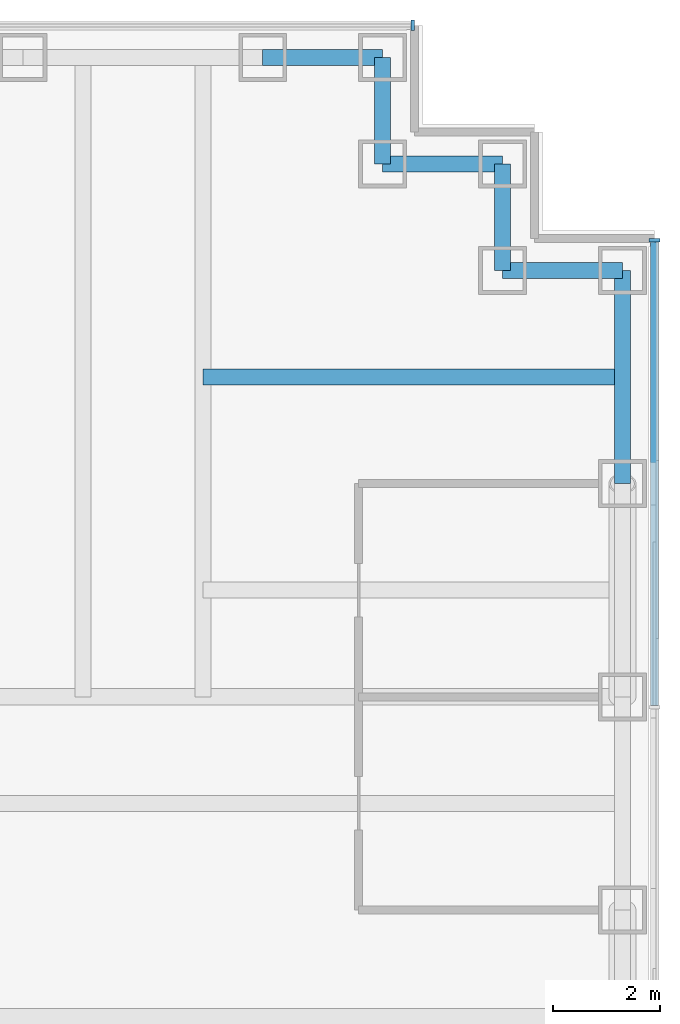
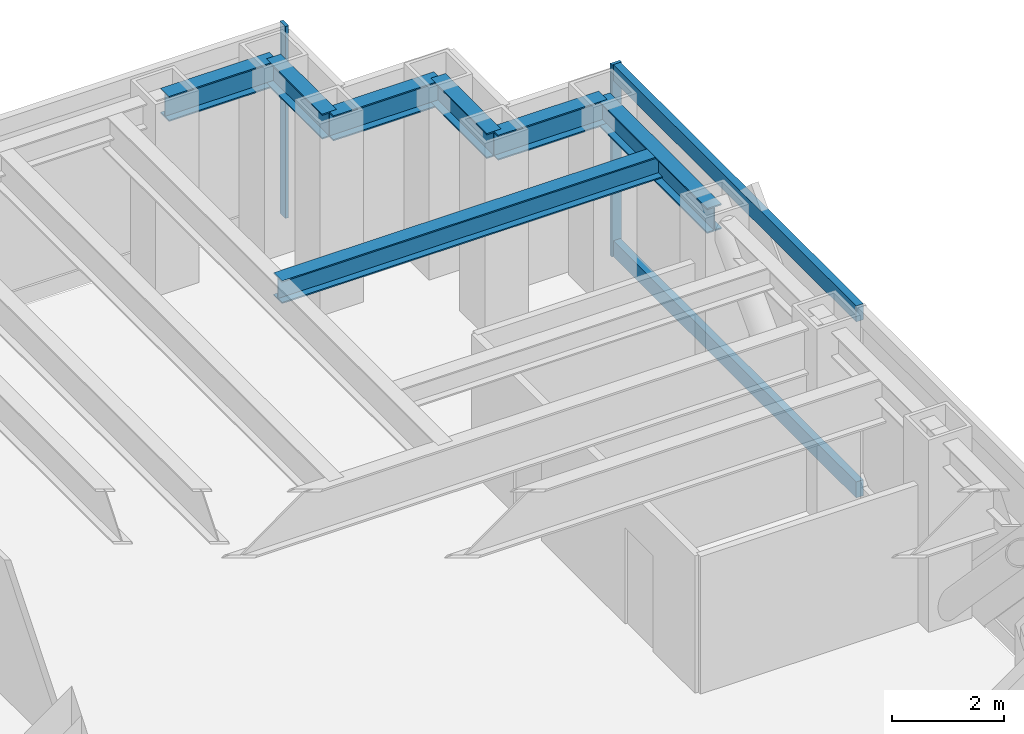
# One storey, part 9 of 17: 7 beams, 4 members, 2 elements without a shape of their own.
"""IFC4 building model written with IfcOpenShell, lengths in metres."""

from ifc_helpers import new_model, si_unit, direction, frame, origin, origin_2d, place, context, subcontext, project, spatial, rectangle, i_section, extrude, material, material_profile, profile_set, type_object, element, aggregate, save


model = new_model("IFC4")

# Units and contexts
model_context = context("Model", 3, precision=1e-05, world=origin(), true_north=direction((0.0, 1.0)))
body_context = subcontext(model_context, "Body", "Model", "MODEL_VIEW")
ifc_project = project(units=[si_unit("LENGTHUNIT", "METRE"), si_unit("AREAUNIT", "SQUARE_METRE"), si_unit("VOLUMEUNIT", "CUBIC_METRE"), si_unit("PLANEANGLEUNIT", "RADIAN"), si_unit("MASSUNIT", "GRAM", prefix="KILO")], contexts=[model_context])

# Site, building, storey
site_placement = place(None, origin())
site = spatial("IfcSite", under=ifc_project, at=site_placement, CompositionType="ELEMENT")
building_placement = place(site_placement, origin())
building = spatial("IfcBuilding", under=site, at=building_placement, Name="Rheinbord Bourse Tower", CompositionType="ELEMENT")
storey_placement = place(building_placement, frame((0.0, 0.0, 287.89990234375)))
storey = spatial("IfcBuildingStorey", under=building, at=storey_placement, Name="L65", CompositionType="ELEMENT", Elevation=287.89990234375)

# Curtain wall, member
ifc_material_1 = material(Name="Dark glass and black aluminium", Category="aluminium")
curtain_wall_type = type_object("IfcCurtainWallType", Name="CW3 DARK GLASS CURTAIN WALL", PredefinedType="USERDEFINED", material=ifc_material_1)
curtain_wall_1_placement = place(storey_placement, origin())
curtain_wall_1 = element("IfcCurtainWall", 1, at=curtain_wall_1_placement, inside=storey, type_object=curtain_wall_type, Name="Curtain wall CW3 E L65", ObjectType="UNITISED CURTAIN WALL", PredefinedType="USERDEFINED")
ifc_material_2 = material(Name="Black anodised aluminium", Category="aluminium")
ifc_material_profile_1 = material_profile(ifc_material_2, rectangle(XDim=0.199951171875, YDim=0.06494140625, at=origin_2d()), Name="CW3 MULLION 65x200")
ifc_profile_set_1 = profile_set([ifc_material_profile_1], Name="Black anodised aluminium")
member_type_1 = type_object("IfcMemberType", Name="CW3 BLACK MULLION", PredefinedType="MULLION", material=ifc_profile_set_1)
member_1_placement = place(storey_placement, frame((70.35009765625, 40.5673828125, 0.0), z_axis=(0.0, 0.0, 1.0), x_axis=(-1.0, 0.0, 0.0)))
member_1 = element("IfcMember", 2, at=member_1_placement, type_object=member_type_1, Name="CW3 mullion 5", PredefinedType="MULLION", context=body_context, shape_type="SweptSolid", body=[
    extrude(rectangle(XDim=0.199951171875, YDim=0.06494140625, at=origin_2d()), origin(), (0.0, 0.0, 1.0), 4.2001953125),
])

curtain_wall_2_placement = place(storey_placement, origin())
curtain_wall_2 = element("IfcCurtainWall", 3, at=curtain_wall_2_placement, inside=storey, type_object=curtain_wall_type, Name="Curtain wall CW3 N L65", ObjectType="UNITISED CURTAIN WALL", PredefinedType="USERDEFINED")
member_2_placement = place(storey_placement, frame((65.8173828125, 44.60009765625, 0.0), z_axis=(0.0, 0.0, 1.0), x_axis=(0.0, -1.0, 0.0)))
member_2 = element("IfcMember", 4, at=member_2_placement, type_object=member_type_1, Name="CW3 mullion 1", PredefinedType="MULLION", context=body_context, shape_type="SweptSolid", body=[
    extrude(rectangle(XDim=0.199951171875, YDim=0.06494140625, at=origin_2d()), origin(), (0.0, 0.0, 1.0), 4.2001953125),
])
aggregate(curtain_wall_2, [member_2])

# Member
ifc_material_3 = material(Name="Black anodised aluminium", Category="aluminium")
ifc_material_profile_2 = material_profile(ifc_material_3, rectangle(XDim=0.14990234375, YDim=0.35009765625, at=origin_2d()), Name="CW3 TRANSOM 350x150")
ifc_profile_set_2 = profile_set([ifc_material_profile_2], Name="Black anodised aluminium")
member_type_2 = type_object("IfcMemberType", Name="CW3 BLACK TRANSOM", PredefinedType="USERDEFINED", material=ifc_profile_set_2)
member_3_placement = place(storey_placement, frame((70.35009765625, 31.83251953125, 0.175048828125), z_axis=(0.0, 1.0, 0.0), x_axis=(-1.0, 0.0, 0.0)))
member_3 = element("IfcMember", 5, at=member_3_placement, type_object=member_type_2, Name="CW3 transom 4.1", ObjectType="TRANSOM", PredefinedType="USERDEFINED", context=body_context, shape_type="SweptSolid", body=[
    extrude(rectangle(XDim=0.14990234375, YDim=0.35009765625, at=origin_2d()), origin(), (0.0, 0.0, 1.0), 8.702392578125),
])

member_4_placement = place(storey_placement, frame((70.35009765625, 31.83251953125, 4.025146484375), z_axis=(0.0, 1.0, 0.0), x_axis=(-1.0, 0.0, 0.0)))
member_4 = element("IfcMember", 6, at=member_4_placement, type_object=member_type_2, Name="CW3 transom 4.2", ObjectType="TRANSOM", PredefinedType="USERDEFINED", context=body_context, shape_type="SweptSolid", body=[
    extrude(rectangle(XDim=0.14990234375, YDim=0.35009765625, at=origin_2d()), origin(), (0.0, 0.0, 1.0), 8.702392578125),
])

aggregate(curtain_wall_1, [member_1, member_3, member_4])

# Beams
ifc_material_4 = material(Name="Steel S460", Category="steel")
ifc_material_profile_3 = material_profile(ifc_material_4, i_section(OverallWidth=0.300048828125, OverallDepth=0.550048828125, WebThickness=0.014892578125, FlangeThickness=0.029052734375, at=origin_2d()), Name="HEB 550")
ifc_profile_set_3 = profile_set([ifc_material_profile_3], Name="Steel S460")
beam_type_1 = type_object("IfcBeamType", Name="SPANDREL HEB 550", PredefinedType="SPANDREL", material=ifc_profile_set_3)
beam_1_placement = place(storey_placement, frame((69.75, 36.0, 3.76513671875), z_axis=(0.0, 1.0, 0.0), x_axis=(-1.0, 0.0, 0.0)))
element("IfcBeam", 7, at=beam_1_placement, inside=storey, type_object=beam_type_1, Name="Spandrel E-36-NE-A under L66", PredefinedType="SPANDREL", context=body_context, shape_type="SweptSolid", body=[
    extrude(i_section(OverallWidth=0.300048828125, OverallDepth=0.550048828125, WebThickness=0.014892578125, FlangeThickness=0.029052734375, at=origin_2d()), origin(), (0.0, 0.0, 1.0), 4.0),
])
beam_2_placement = place(storey_placement, frame((69.75, 40.0, 3.76513671875), z_axis=(-1.0, 0.0, 0.0), x_axis=(0.0, -1.0, 0.0)))
element("IfcBeam", 8, at=beam_2_placement, inside=storey, type_object=beam_type_1, Name="Spandrel NE-A-NE-B under L66", PredefinedType="SPANDREL", context=body_context, shape_type="SweptSolid", body=[
    extrude(i_section(OverallWidth=0.300048828125, OverallDepth=0.550048828125, WebThickness=0.014892578125, FlangeThickness=0.029052734375, at=origin_2d()), origin(), (0.0, 0.0, 1.0), 2.25),
])
beam_3_placement = place(storey_placement, frame((67.5, 40.0, 3.76513671875), z_axis=(0.0, 1.0, 0.0), x_axis=(-1.0, 0.0, 0.0)))
element("IfcBeam", 9, at=beam_3_placement, inside=storey, type_object=beam_type_1, Name="Spandrel NE-B-NE-C under L66", PredefinedType="SPANDREL", context=body_context, shape_type="SweptSolid", body=[
    extrude(i_section(OverallWidth=0.300048828125, OverallDepth=0.550048828125, WebThickness=0.014892578125, FlangeThickness=0.029052734375, at=origin_2d()), origin(), (0.0, 0.0, 1.0), 2.0),
])
beam_4_placement = place(storey_placement, frame((67.5, 42.0, 3.76513671875), z_axis=(-1.0, 0.0, 0.0), x_axis=(0.0, -1.0, 0.0)))
element("IfcBeam", 10, at=beam_4_placement, inside=storey, type_object=beam_type_1, Name="Spandrel NE-C-NE-D under L66", PredefinedType="SPANDREL", context=body_context, shape_type="SweptSolid", body=[
    extrude(i_section(OverallWidth=0.300048828125, OverallDepth=0.550048828125, WebThickness=0.014892578125, FlangeThickness=0.029052734375, at=origin_2d()), origin(), (0.0, 0.0, 1.0), 2.25),
])
beam_5_placement = place(storey_placement, frame((65.25, 42.0, 3.76513671875), z_axis=(0.0, 1.0, 0.0), x_axis=(-1.0, 0.0, 0.0)))
element("IfcBeam", 11, at=beam_5_placement, inside=storey, type_object=beam_type_1, Name="Spandrel NE-D-NE-E under L66", PredefinedType="SPANDREL", context=body_context, shape_type="SweptSolid", body=[
    extrude(i_section(OverallWidth=0.300048828125, OverallDepth=0.550048828125, WebThickness=0.014892578125, FlangeThickness=0.029052734375, at=origin_2d()), origin(), (0.0, 0.0, 1.0), 2.0),
])
beam_6_placement = place(storey_placement, frame((65.25, 44.0, 3.76513671875), z_axis=(-1.0, 0.0, 0.0), x_axis=(0.0, -1.0, 0.0)))
element("IfcBeam", 12, at=beam_6_placement, inside=storey, type_object=beam_type_1, Name="Spandrel NE-E-N-63 under L66", PredefinedType="SPANDREL", context=body_context, shape_type="SweptSolid", body=[
    extrude(i_section(OverallWidth=0.300048828125, OverallDepth=0.550048828125, WebThickness=0.014892578125, FlangeThickness=0.029052734375, at=origin_2d()), origin(), (0.0, 0.0, 1.0), 2.25),
])
ifc_material_5 = material(Name="Steel S460", Category="steel")
ifc_material_profile_4 = material_profile(ifc_material_5, i_section(OverallWidth=0.300048828125, OverallDepth=0.5, WebThickness=0.014404296875, FlangeThickness=0.028076171875, at=origin_2d()), Name="HEB 500")
ifc_profile_set_4 = profile_set([ifc_material_profile_4], Name="Steel S460")
beam_type_2 = type_object("IfcBeamType", Name="TIE BEAM HEB 500", PredefinedType="JOIST", material=ifc_profile_set_4)
beam_7_placement = place(storey_placement, frame((61.875, 38.0, 3.7900390625), z_axis=(1.0, 0.0, 0.0), x_axis=(0.0, 1.0, 0.0)))
element("IfcBeam", 13, at=beam_7_placement, inside=storey, type_object=beam_type_2, Name="Tie east 38 L66", PredefinedType="JOIST", context=body_context, shape_type="SweptSolid", body=[
    extrude(i_section(OverallWidth=0.300048828125, OverallDepth=0.5, WebThickness=0.014404296875, FlangeThickness=0.028076171875, at=origin_2d()), origin(), (0.0, 0.0, 1.0), 7.875),
])

save(model, "model.ifc")
